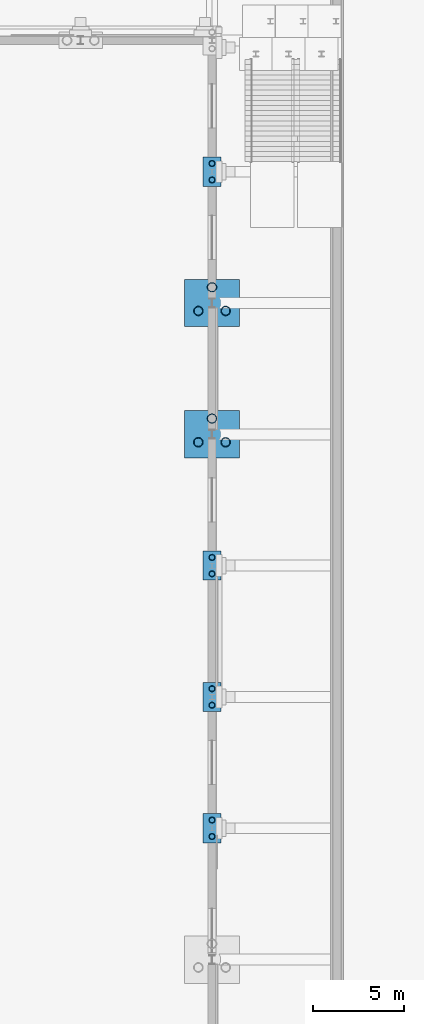
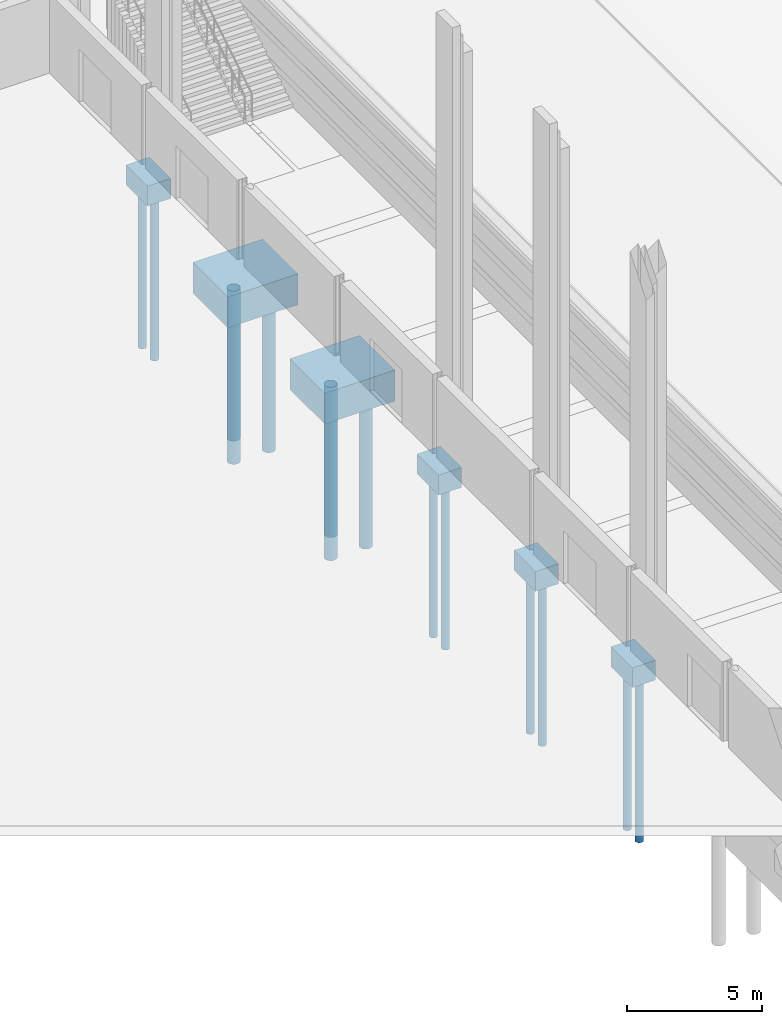
# One storey, part 21 of 148: 14 piles, 6 footings.
"""IFC4 building model written with IfcOpenShell, lengths in metres."""

from ifc_helpers import new_model, si_unit, direction, frame, origin, origin_2d, place, context, subcontext, project, spatial, rectangle, hollow_circle, extrude, material, layer, layer_set, material_profile, profile_set, type_object, element, save


model = new_model("IFC4")

# Units and contexts
model_context = context("Model", 3, precision=1e-05, world=origin(), true_north=direction((0.0, 1.0)))
body_context = subcontext(model_context, "Body", "Model", "MODEL_VIEW")
ifc_project = project(units=[si_unit("LENGTHUNIT", "METRE"), si_unit("AREAUNIT", "SQUARE_METRE"), si_unit("VOLUMEUNIT", "CUBIC_METRE"), si_unit("PLANEANGLEUNIT", "RADIAN"), si_unit("MASSUNIT", "GRAM", prefix="KILO")], contexts=[model_context])

# Site, building, storey
site_placement = place(None, origin())
site = spatial("IfcSite", under=ifc_project, at=site_placement, CompositionType="ELEMENT")
building_placement = place(site_placement, origin())
building = spatial("IfcBuilding", under=site, at=building_placement, Name="Kupolbacken Congress Centre", CompositionType="ELEMENT")
storey_placement = place(building_placement, origin())
storey = spatial("IfcBuildingStorey", under=building, at=storey_placement, Name="L00", CompositionType="ELEMENT", Elevation=0.0)

# Footings
ifc_material_1 = material(Name="Concrete C30/37", Category="concrete")
ifc_layer_1 = layer(ifc_material_1, 1.39990234375)
ifc_layer_set_1 = layer_set([ifc_layer_1], Name="Concrete C30/37")
footing_type_1 = type_object("IfcFootingType", Name="PC5 pile cap 3.00 x 2.60 x 1.40 m", PredefinedType="PILE_CAP", material=ifc_layer_set_1)
for number, where, z_axis, x_axis, name in (
    (1, (201.60009765625, 93.60009765625, -1.699951171875), (0.0, 0.0, 1.0), (1.0, 0.0, 0.0), "S/fnd/C-H-PE08/cap"),
    (2, (201.60009765625, 100.800048828125, -1.699951171875), (0.0, 0.0, 1.0), (1.0, 0.0, 0.0), "S/fnd/C-H-PE09/cap"),
):
    element("IfcFooting", number, at=place(storey_placement, frame(where, z_axis=z_axis, x_axis=x_axis)), inside=storey, type_object=footing_type_1, Name=name, PredefinedType="PILE_CAP", context=body_context, shape_type="SweptSolid", body=[
        extrude(rectangle(XDim=3.0, YDim=2.60009765625, at=origin_2d()), origin(), (0.0, 0.0, 1.0), 1.39990234375),
    ])
ifc_material_2 = material(Name="Concrete C30/37", Category="concrete")
ifc_layer_2 = layer(ifc_material_2, 0.89990234375)
ifc_layer_set_2 = layer_set([ifc_layer_2], Name="Concrete C30/37")
footing_type_2 = type_object("IfcFootingType", Name="PC7 pile cap 1.60 x 1.00 x 0.90 m", PredefinedType="PILE_CAP", material=ifc_layer_set_2)
for number, where, z_axis, x_axis, name in (
    (3, (201.60009765625, 72.0, -1.199951171875), (0.0, 0.0, 1.0), (1.0, 0.0, 0.0), "S/fnd/C-H-PE05/cap"),
    (4, (201.60009765625, 79.199951171875, -1.199951171875), (0.0, 0.0, 1.0), (1.0, 0.0, 0.0), "S/fnd/C-H-PE06/cap"),
    (5, (201.60009765625, 86.39990234375, -1.199951171875), (0.0, 0.0, 1.0), (1.0, 0.0, 0.0), "S/fnd/C-H-PE07/cap"),
    (6, (201.60009765625, 108.0, -1.199951171875), (0.0, 0.0, 1.0), (1.0, 0.0, 0.0), "S/fnd/C-H-PE10/cap"),
):
    element("IfcFooting", number, at=place(storey_placement, frame(where, z_axis=z_axis, x_axis=x_axis)), inside=storey, type_object=footing_type_2, Name=name, PredefinedType="PILE_CAP", context=body_context, shape_type="SweptSolid", body=[
        extrude(rectangle(XDim=1.0, YDim=1.60009765625, at=origin_2d()), origin(), (0.0, 0.0, 1.0), 0.89990234375),
    ])

# Piles
ifc_material_3 = material(Name="Steel S355", Category="steel")
ifc_material_profile_1 = material_profile(ifc_material_3, hollow_circle(Radius=0.161865234375, WallThickness=0.012451171875, at=origin_2d()), Name="CHS 323.9 x 12.5")
ifc_profile_set_1 = profile_set([ifc_material_profile_1], Name="Steel S355")
pile_type_1 = type_object("IfcPileType", Name="PL1 steel tube pile CHS 323.9 x 12.5", PredefinedType="BORED", material=ifc_profile_set_1)
for number, where, z_axis, x_axis, name in (
    (7, (201.60009765625, 71.550048828125, -1.199951171875), (0.0, 0.0, -1.0), (1.0, 0.0, 0.0), "S/fnd/C-H-PE05/pile1"),
    (8, (201.60009765625, 72.449951171875, -1.199951171875), (0.0, 0.0, -1.0), (1.0, 0.0, 0.0), "S/fnd/C-H-PE05/pile2"),
    (9, (201.60009765625, 78.75, -1.199951171875), (0.0, 0.0, -1.0), (1.0, 0.0, 0.0), "S/fnd/C-H-PE06/pile1"),
    (10, (201.60009765625, 79.64990234375, -1.199951171875), (0.0, 0.0, -1.0), (1.0, 0.0, 0.0), "S/fnd/C-H-PE06/pile2"),
    (11, (201.60009765625, 85.949951171875, -1.199951171875), (0.0, 0.0, -1.0), (1.0, 0.0, 0.0), "S/fnd/C-H-PE07/pile1"),
    (12, (201.60009765625, 86.85009765625, -1.199951171875), (0.0, 0.0, -1.0), (1.0, 0.0, 0.0), "S/fnd/C-H-PE07/pile2"),
    (13, (201.60009765625, 107.550048828125, -1.199951171875), (0.0, 0.0, -1.0), (1.0, 0.0, 0.0), "S/fnd/C-H-PE10/pile1"),
    (14, (201.60009765625, 108.449951171875, -1.199951171875), (0.0, 0.0, -1.0), (1.0, 0.0, 0.0), "S/fnd/C-H-PE10/pile2"),
):
    element("IfcPile", number, at=place(storey_placement, frame(where, z_axis=z_axis, x_axis=x_axis)), inside=storey, type_object=pile_type_1, Name=name, PredefinedType="BORED", context=body_context, shape_type="SweptSolid", body=[
        extrude(hollow_circle(Radius=0.161865234375, WallThickness=0.012451171875, at=origin_2d()), origin(), (0.0, 0.0, 1.0), 7.300048828125),
    ])
ifc_material_4 = material(Name="Steel S355", Category="steel")
ifc_material_profile_2 = material_profile(ifc_material_4, hollow_circle(Radius=0.25390625, WallThickness=0.02001953125, at=origin_2d()), Name="CHS 508 x 20")
ifc_profile_set_2 = profile_set([ifc_material_profile_2], Name="Steel S355")
pile_type_2 = type_object("IfcPileType", Name="PL3 steel tube pile CHS 508 x 20", PredefinedType="BORED", material=ifc_profile_set_2)
for number, where, z_axis, x_axis, name in (
    (15, (200.85009765625, 93.16650390625, -1.699951171875), (0.0, 0.0, -1.0), (1.0, 0.0, 0.0), "S/fnd/C-H-PE08/pile1"),
    (16, (202.35009765625, 93.16650390625, -1.699951171875), (0.0, 0.0, -1.0), (1.0, 0.0, 0.0), "S/fnd/C-H-PE08/pile2"),
    (17, (201.60009765625, 94.465576171875, -1.699951171875), (0.0, 0.0, -1.0), (1.0, 0.0, 0.0), "S/fnd/C-H-PE08/pile3"),
    (18, (200.85009765625, 100.366455078125, -1.699951171875), (0.0, 0.0, -1.0), (1.0, 0.0, 0.0), "S/fnd/C-H-PE09/pile1"),
    (19, (202.35009765625, 100.366455078125, -1.699951171875), (0.0, 0.0, -1.0), (1.0, 0.0, 0.0), "S/fnd/C-H-PE09/pile2"),
    (20, (201.60009765625, 101.66552734375, -1.699951171875), (0.0, 0.0, -1.0), (1.0, 0.0, 0.0), "S/fnd/C-H-PE09/pile3"),
):
    element("IfcPile", number, at=place(storey_placement, frame(where, z_axis=z_axis, x_axis=x_axis)), inside=storey, type_object=pile_type_2, Name=name, PredefinedType="BORED", context=body_context, shape_type="SweptSolid", body=[
        extrude(hollow_circle(Radius=0.25390625, WallThickness=0.02001953125, at=origin_2d()), origin(), (0.0, 0.0, 1.0), 6.800048828125),
    ])

save(model, "model.ifc")
